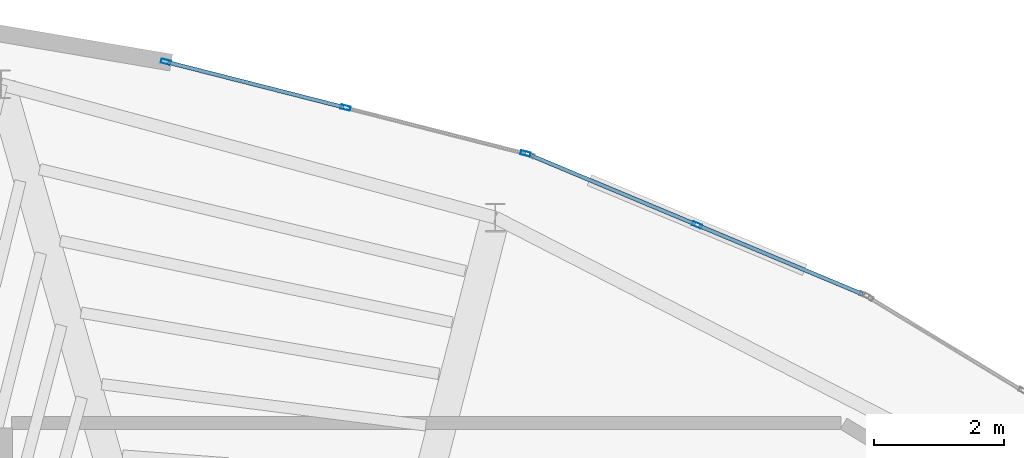
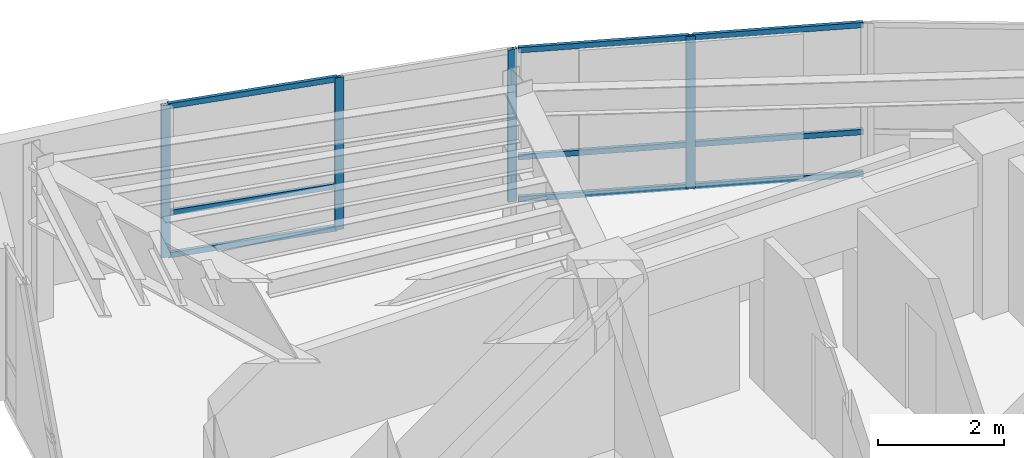
# One storey, part 9 of 13: 13 members, 2 elements without a shape of their own.
"""IFC4 building model written with IfcOpenShell, lengths in metres."""

from ifc_helpers import new_model, si_unit, direction, frame, origin, origin_2d, place, context, subcontext, project, spatial, hollow_rectangle, extrude, material, layer, layer_set, material_profile, profile_set, type_object, element, aggregate, save


model = new_model("IFC4")

# Units and contexts
model_context = context("Model", 3, precision=1e-05, world=origin(), true_north=direction((0.0, 1.0)))
body_context = subcontext(model_context, "Body", "Model", "MODEL_VIEW")
ifc_project = project(units=[si_unit("LENGTHUNIT", "METRE"), si_unit("AREAUNIT", "SQUARE_METRE"), si_unit("VOLUMEUNIT", "CUBIC_METRE"), si_unit("PLANEANGLEUNIT", "RADIAN"), si_unit("MASSUNIT", "GRAM", prefix="KILO")], contexts=[model_context])

# Site, building, storey
site_placement = place(None, origin())
site = spatial("IfcSite", under=ifc_project, at=site_placement, CompositionType="ELEMENT")
building_placement = place(site_placement, origin())
building = spatial("IfcBuilding", under=site, at=building_placement, Name="Menara Vayukalpa", CompositionType="ELEMENT")
storey_placement = place(building_placement, frame((0.0, 0.0, 315.219970703125)))
storey = spatial("IfcBuildingStorey", under=building, at=storey_placement, Name="L81", CompositionType="ELEMENT", Elevation=315.219970703125)

# Curtain wall, member
ifc_material_1 = material(Name="Anodised Terracotta Aluminium Alloy 6063-T6", Category="masonry")
ifc_layer = layer(ifc_material_1, 0.14990234375)
ifc_layer_set = layer_set([ifc_layer], Name="Anodised Terracotta Aluminium Alloy 6063-T6")
curtain_wall_type = type_object("IfcCurtainWallType", Name="CW-CW7", PredefinedType="USERDEFINED", material=ifc_layer_set)
curtain_wall_1_placement = place(storey_placement, origin())
curtain_wall_1 = element("IfcCurtainWall", 1, at=curtain_wall_1_placement, inside=storey, type_object=curtain_wall_type, Name="L81 Crown Drum Screened Curtain Wall CW7 05", ObjectType="UNITISED", PredefinedType="USERDEFINED")
ifc_material_2 = material(Name="Anodised Terracotta Aluminium Alloy 6063-T6", Category="masonry")
ifc_material_profile_1 = material_profile(ifc_material_2, hollow_rectangle(XDim=0.06494140625, YDim=0.14990234375, WallThickness=0.00341796875, at=origin_2d()), Name="ALU 65x150x3.5")
ifc_profile_set_1 = profile_set([ifc_material_profile_1], Name="Anodised Terracotta Aluminium Alloy 6063-T6")
member_type_1 = type_object("IfcMemberType", Name="CWM-CW7", PredefinedType="MULLION", material=ifc_profile_set_1)
member_1_placement = place(storey_placement, frame((26.48583984375, 31.83544921875, 0.0), z_axis=(0.0, 0.0, 1.0), x_axis=(-0.385898361946, -0.922541302191, 0.0)))
member_1 = element("IfcMember", 2, at=member_1_placement, type_object=member_type_1, Name="CW7 mullion 2", PredefinedType="MULLION", context=body_context, shape_type="SweptSolid", body=[
    extrude(hollow_rectangle(XDim=0.06494140625, YDim=0.14990234375, WallThickness=0.00341796875, at=origin_2d()), origin(), (0.0, 0.0, 1.0), 2.9599609375),
])

# Curtain wall, members
curtain_wall_2_placement = place(storey_placement, origin())
curtain_wall_2 = element("IfcCurtainWall", 3, at=curtain_wall_2_placement, inside=storey, type_object=curtain_wall_type, Name="L81 Crown Drum Screened Curtain Wall CW7 06", ObjectType="UNITISED", PredefinedType="USERDEFINED")
member_2_placement = place(storey_placement, frame((23.83837890625, 32.937744140625, 0.0), z_axis=(0.0, 0.0, 1.0), x_axis=(-0.247123764219, -0.968983924097, 0.0)))
member_2 = element("IfcMember", 4, at=member_2_placement, type_object=member_type_1, Name="CW7 mullion 1", PredefinedType="MULLION", context=body_context, shape_type="SweptSolid", body=[
    extrude(hollow_rectangle(XDim=0.06494140625, YDim=0.14990234375, WallThickness=0.00341796875, at=origin_2d()), origin(), (0.0, 0.0, 1.0), 2.9599609375),
])
member_3_placement = place(storey_placement, frame((21.0615234375, 33.645751953125, 0.0), z_axis=(0.0, 0.0, 1.0), x_axis=(-0.247123764219, -0.968983924097, 0.0)))
member_3 = element("IfcMember", 5, at=member_3_placement, type_object=member_type_1, Name="CW7 mullion 2", PredefinedType="MULLION", context=body_context, shape_type="SweptSolid", body=[
    extrude(hollow_rectangle(XDim=0.06494140625, YDim=0.14990234375, WallThickness=0.00341796875, at=origin_2d()), origin(), (0.0, 0.0, 1.0), 2.9599609375),
])
member_4_placement = place(storey_placement, frame((18.284423828125, 34.35400390625, 0.0), z_axis=(0.0, 0.0, 1.0), x_axis=(-0.247123764219, -0.968983924097, 0.0)))
member_4 = element("IfcMember", 6, at=member_4_placement, type_object=member_type_1, Name="CW7 mullion 3", PredefinedType="MULLION", context=body_context, shape_type="SweptSolid", body=[
    extrude(hollow_rectangle(XDim=0.06494140625, YDim=0.14990234375, WallThickness=0.00341796875, at=origin_2d()), origin(), (0.0, 0.0, 1.0), 2.9599609375),
])

# Member
ifc_material_3 = material(Name="Anodised Terracotta Aluminium Alloy 6063-T6", Category="masonry")
ifc_material_profile_2 = material_profile(ifc_material_3, hollow_rectangle(XDim=0.06005859375, YDim=0.10498046875, WallThickness=0.0029296875, at=origin_2d()), Name="ALU 60x105x3")
ifc_profile_set_2 = profile_set([ifc_material_profile_2], Name="Anodised Terracotta Aluminium Alloy 6063-T6")
member_type_2 = type_object("IfcMemberType", Name="CWT-CW7", PredefinedType="USERDEFINED", material=ifc_profile_set_2)
member_5_placement = place(storey_placement, frame((29.041748046875, 30.76611328125, 0.030029296875), z_axis=(-0.922532551431, 0.385919281132, 0.0), x_axis=(-0.385919281132, -0.922532551431, 0.0)))
member_5 = element("IfcMember", 7, at=member_5_placement, type_object=member_type_2, Name="CW7 transom 1.1", ObjectType="TRANSOM", PredefinedType="USERDEFINED", context=body_context, shape_type="SweptSolid", body=[
    extrude(hollow_rectangle(XDim=0.06005859375, YDim=0.10498046875, WallThickness=0.0029296875, at=origin_2d()), origin(), (0.0, 0.0, 1.0), 2.738037109375),
])

member_6_placement = place(storey_placement, frame((29.041748046875, 30.76611328125, 0.85009765625), z_axis=(-0.922532551431, 0.385919281132, 0.0), x_axis=(-0.385919281132, -0.922532551431, 0.0)))
member_6 = element("IfcMember", 8, at=member_6_placement, type_object=member_type_2, Name="CW7 transom 1.2", ObjectType="TRANSOM", PredefinedType="USERDEFINED", context=body_context, shape_type="SweptSolid", body=[
    extrude(hollow_rectangle(XDim=0.06005859375, YDim=0.10498046875, WallThickness=0.0029296875, at=origin_2d()), origin(), (0.0, 0.0, 1.0), 2.738037109375),
])

member_7_placement = place(storey_placement, frame((29.041748046875, 30.76611328125, 2.929931640625), z_axis=(-0.922532551431, 0.385919281132, 0.0), x_axis=(-0.385919281132, -0.922532551431, 0.0)))
member_7 = element("IfcMember", 9, at=member_7_placement, type_object=member_type_2, Name="CW7 transom 1.3", ObjectType="TRANSOM", PredefinedType="USERDEFINED", context=body_context, shape_type="SweptSolid", body=[
    extrude(hollow_rectangle(XDim=0.06005859375, YDim=0.10498046875, WallThickness=0.0029296875, at=origin_2d()), origin(), (0.0, 0.0, 1.0), 2.738037109375),
])

member_8_placement = place(storey_placement, frame((26.455810546875, 31.847900390625, 0.030029296875), z_axis=(-0.922532551431, 0.385919281132, 0.0), x_axis=(-0.385919281132, -0.922532551431, 0.0)))
member_8 = element("IfcMember", 10, at=member_8_placement, type_object=member_type_2, Name="CW7 transom 2.1", ObjectType="TRANSOM", PredefinedType="USERDEFINED", context=body_context, shape_type="SweptSolid", body=[
    extrude(hollow_rectangle(XDim=0.06005859375, YDim=0.10498046875, WallThickness=0.0029296875, at=origin_2d()), origin(), (0.0, 0.0, 1.0), 2.738037109375),
])

member_9_placement = place(storey_placement, frame((26.455810546875, 31.847900390625, 0.85009765625), z_axis=(-0.922532551431, 0.385919281132, 0.0), x_axis=(-0.385919281132, -0.922532551431, 0.0)))
member_9 = element("IfcMember", 11, at=member_9_placement, type_object=member_type_2, Name="CW7 transom 2.2", ObjectType="TRANSOM", PredefinedType="USERDEFINED", context=body_context, shape_type="SweptSolid", body=[
    extrude(hollow_rectangle(XDim=0.06005859375, YDim=0.10498046875, WallThickness=0.0029296875, at=origin_2d()), origin(), (0.0, 0.0, 1.0), 2.738037109375),
])

member_10_placement = place(storey_placement, frame((26.455810546875, 31.847900390625, 2.929931640625), z_axis=(-0.922532551431, 0.385919281132, 0.0), x_axis=(-0.385919281132, -0.922532551431, 0.0)))
member_10 = element("IfcMember", 12, at=member_10_placement, type_object=member_type_2, Name="CW7 transom 2.3", ObjectType="TRANSOM", PredefinedType="USERDEFINED", context=body_context, shape_type="SweptSolid", body=[
    extrude(hollow_rectangle(XDim=0.06005859375, YDim=0.10498046875, WallThickness=0.0029296875, at=origin_2d()), origin(), (0.0, 0.0, 1.0), 2.738037109375),
])

aggregate(curtain_wall_1, [member_1, member_5, member_6, member_7, member_8, member_9, member_10])

member_11_placement = place(storey_placement, frame((21.030029296875, 33.65380859375, 0.030029296875), z_axis=(-0.968988349591, 0.247106411, 0.0), x_axis=(-0.247106411, -0.968988349591, 0.0)))
member_11 = element("IfcMember", 13, at=member_11_placement, type_object=member_type_2, Name="CW7 transom 2.1", ObjectType="TRANSOM", PredefinedType="USERDEFINED", context=body_context, shape_type="SweptSolid", body=[
    extrude(hollow_rectangle(XDim=0.06005859375, YDim=0.10498046875, WallThickness=0.0029296875, at=origin_2d()), origin(), (0.0, 0.0, 1.0), 2.801025390625),
])

member_12_placement = place(storey_placement, frame((21.030029296875, 33.65380859375, 0.85009765625), z_axis=(-0.968988349591, 0.247106411, 0.0), x_axis=(-0.247106411, -0.968988349591, 0.0)))
member_12 = element("IfcMember", 14, at=member_12_placement, type_object=member_type_2, Name="CW7 transom 2.2", ObjectType="TRANSOM", PredefinedType="USERDEFINED", context=body_context, shape_type="SweptSolid", body=[
    extrude(hollow_rectangle(XDim=0.06005859375, YDim=0.10498046875, WallThickness=0.0029296875, at=origin_2d()), origin(), (0.0, 0.0, 1.0), 2.801025390625),
])

member_13_placement = place(storey_placement, frame((21.030029296875, 33.65380859375, 2.929931640625), z_axis=(-0.968988349591, 0.247106411, 0.0), x_axis=(-0.247106411, -0.968988349591, 0.0)))
member_13 = element("IfcMember", 15, at=member_13_placement, type_object=member_type_2, Name="CW7 transom 2.3", ObjectType="TRANSOM", PredefinedType="USERDEFINED", context=body_context, shape_type="SweptSolid", body=[
    extrude(hollow_rectangle(XDim=0.06005859375, YDim=0.10498046875, WallThickness=0.0029296875, at=origin_2d()), origin(), (0.0, 0.0, 1.0), 2.801025390625),
])

aggregate(curtain_wall_2, [member_2, member_3, member_4, member_11, member_12, member_13])

save(model, "model.ifc")
